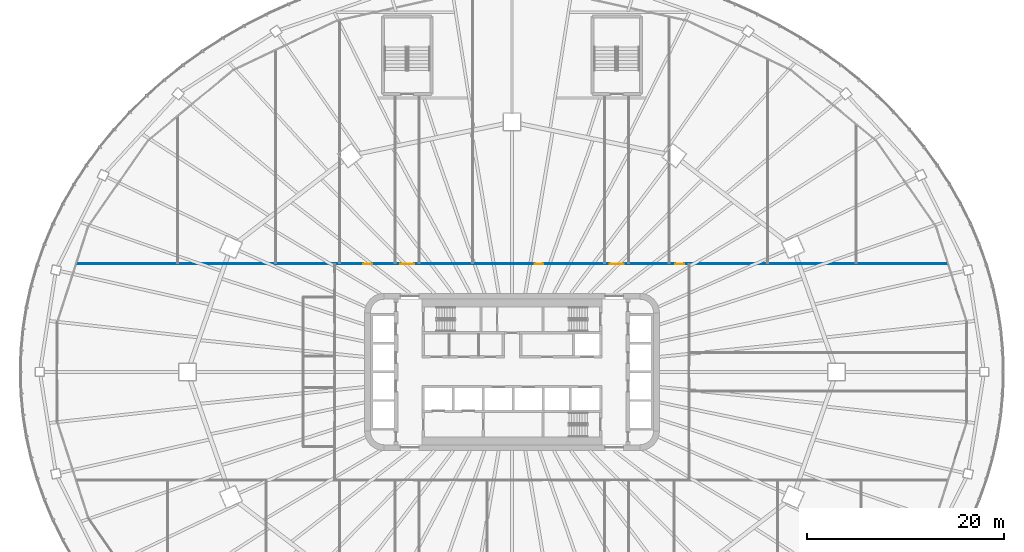
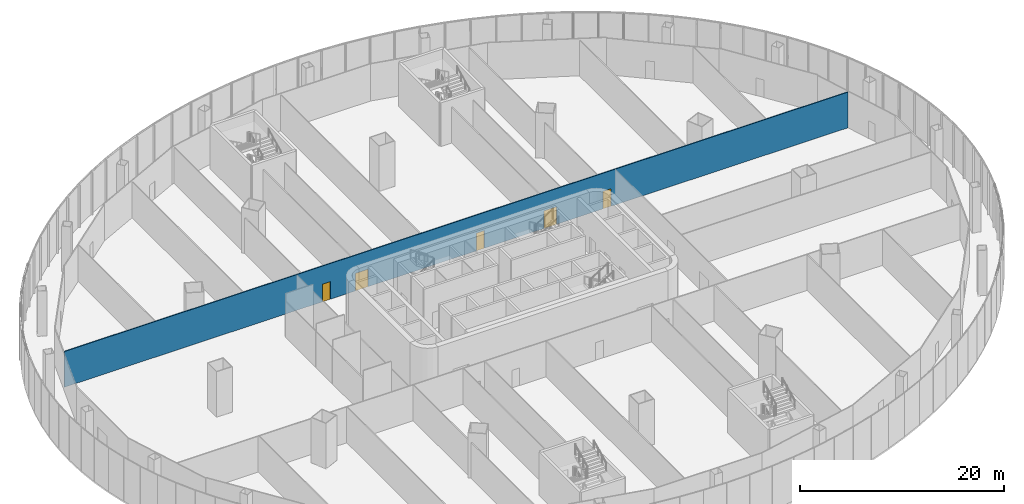
# One storey, part 25 of 42: 5 doors, 1 wall, 5 openings.
"""IFC4 building model written with IfcOpenShell, lengths in metres."""

from ifc_helpers import new_model, si_unit, direction, frame, frame_2d, origin, place, context, subcontext, project, spatial, rectangle, extrude, material, layer, layer_set, type_object, element, fill, save


model = new_model("IFC4")

# Units and contexts
model_context = context("Model", 3, precision=1e-05, world=origin(), true_north=direction((0.0, 1.0)))
body_context = subcontext(model_context, "Body", "Model", "MODEL_VIEW")
ifc_project = project(units=[si_unit("LENGTHUNIT", "METRE"), si_unit("AREAUNIT", "SQUARE_METRE"), si_unit("VOLUMEUNIT", "CUBIC_METRE"), si_unit("PLANEANGLEUNIT", "RADIAN"), si_unit("MASSUNIT", "GRAM", prefix="KILO")], contexts=[model_context])

# Site, building, storey
site_placement = place(None, origin())
site = spatial("IfcSite", under=ifc_project, at=site_placement, CompositionType="ELEMENT")
building_placement = place(site_placement, origin())
building = spatial("IfcBuilding", under=site, at=building_placement, Name="Sahrelin Media Tower", CompositionType="ELEMENT")
storey_placement = place(building_placement, frame((0.0, 0.0, 26.0)))
storey = spatial("IfcBuildingStorey", under=building, at=storey_placement, Name="L03", CompositionType="ELEMENT", Elevation=26.0)

# Wall, openings, doors
ifc_material_1 = material(Name="Gypsum board partition")
ifc_layer = layer(ifc_material_1, 0.10009765625)
ifc_layer_set = layer_set([ifc_layer], Name="Partition 100")
wall_type = type_object("IfcWallType", Name="Partition 100", PredefinedType="PARTITIONING", material=ifc_layer_set)
wall_placement = place(storey_placement, frame((-44.256103515625, 11.0, 0.0), z_axis=(0.0, 0.0, 1.0), x_axis=(1.0, 0.0, 0.0)))
wall = element("IfcWall", 1, at=wall_placement, inside=storey, type_object=wall_type, Name="Wall", PredefinedType="PARTITIONING", context=body_context, shape_type="SweptSolid", body=[
    extrude(rectangle(XDim=88.51220703125, YDim=0.10009765625, at=frame_2d((44.256103515625, 0.0))), origin(), (0.0, 0.0, 1.0), 4.268310546875),
])
opening_1_placement = place(wall_placement, frame((54.199951171875, 0.0, 0.0)))
opening_1 = element("IfcOpeningElement", 2, at=opening_1_placement, cuts=wall, Name="Opening L03-D20", PredefinedType="OPENING", context=body_context, shape_type="SweptSolid", body=[
    extrude(rectangle(XDim=1.39990234375, YDim=2.10009765625, at=frame_2d((0.699951171875, 1.050048828125))), frame((0.0, 0.050048828125, 0.0), z_axis=(0.0, -1.0, 0.0), x_axis=(1.0, 0.0, 0.0)), (0.0, 0.0, 1.0), 0.10009765625),
])
opening_2_placement = place(wall_placement, frame((32.89990234375, 0.0, 0.0)))
opening_2 = element("IfcOpeningElement", 3, at=opening_2_placement, cuts=wall, Name="Opening L03-D21", PredefinedType="OPENING", context=body_context, shape_type="SweptSolid", body=[
    extrude(rectangle(XDim=1.39990234375, YDim=2.10009765625, at=frame_2d((0.699951171875, 1.050048828125))), frame((0.0, 0.050048828125, 0.0), z_axis=(0.0, -1.0, 0.0), x_axis=(1.0, 0.0, 0.0)), (0.0, 0.0, 1.0), 0.10009765625),
])
opening_3_placement = place(wall_placement, frame((29.14990234375, 0.0, 0.0)))
opening_3 = element("IfcOpeningElement", 4, at=opening_3_placement, cuts=wall, Name="Opening L03-D29", PredefinedType="OPENING", context=body_context, shape_type="SweptSolid", body=[
    extrude(rectangle(XDim=0.89990234375, YDim=2.10009765625, at=frame_2d((0.449951171875, 1.050048828125))), frame((0.0, 0.050048828125, 0.0), z_axis=(0.0, -1.0, 0.0), x_axis=(1.0, 0.0, 0.0)), (0.0, 0.0, 1.0), 0.10009765625),
])
opening_4_placement = place(wall_placement, frame((46.550048828125, 0.0, 0.0)))
opening_4 = element("IfcOpeningElement", 5, at=opening_4_placement, cuts=wall, Name="Opening L03-D30", PredefinedType="OPENING", context=body_context, shape_type="SweptSolid", body=[
    extrude(rectangle(XDim=0.89990234375, YDim=2.10009765625, at=frame_2d((0.449951171875, 1.050048828125))), frame((0.0, 0.050048828125, 0.0), z_axis=(0.0, -1.0, 0.0), x_axis=(1.0, 0.0, 0.0)), (0.0, 0.0, 1.0), 0.10009765625),
])
opening_5_placement = place(wall_placement, frame((60.85009765625, 0.0, 0.0)))
opening_5 = element("IfcOpeningElement", 6, at=opening_5_placement, cuts=wall, Name="Opening L03-D31", PredefinedType="OPENING", context=body_context, shape_type="SweptSolid", body=[
    extrude(rectangle(XDim=0.89990234375, YDim=2.10009765625, at=frame_2d((0.449951171875, 1.050048828125))), frame((0.0, 0.050048828125, 0.0), z_axis=(0.0, -1.0, 0.0), x_axis=(1.0, 0.0, 0.0)), (0.0, 0.0, 1.0), 0.10009765625),
])
ifc_material_2 = material(Name="Timber door leaf", Category="wood")
door_type_1 = type_object("IfcDoorType", Name="Single door 1400 x 2100", OperationType="NOTDEFINED", PredefinedType="DOOR", material=ifc_material_2)
door_1_placement = place(opening_1_placement, origin())
door_1 = element("IfcDoor", 7, at=door_1_placement, inside=storey, type_object=door_type_1, Name="Single door", OperationType="SINGLE_SWING_RIGHT", OverallHeight=2.10009765625, OverallWidth=1.39990234375, PredefinedType="DOOR", context=body_context, shape_type="SweptSolid", body=[
    extrude(rectangle(XDim=1.39990234375, YDim=2.10009765625, at=frame_2d((0.699951171875, 1.050048828125))), frame((0.0, 0.02490234375, 0.0), z_axis=(0.0, -1.0, 0.0), x_axis=(1.0, 0.0, 0.0)), (0.0, 0.0, 1.0), 0.050048828125),
])
fill(opening_1, door_1)
door_2_placement = place(opening_2_placement, origin())
door_2 = element("IfcDoor", 8, at=door_2_placement, inside=storey, type_object=door_type_1, Name="Single door", OperationType="SINGLE_SWING_LEFT", OverallHeight=2.10009765625, OverallWidth=1.39990234375, PredefinedType="DOOR", context=body_context, shape_type="SweptSolid", body=[
    extrude(rectangle(XDim=1.39990234375, YDim=2.10009765625, at=frame_2d((0.699951171875, 1.050048828125))), frame((0.0, 0.02490234375, 0.0), z_axis=(0.0, -1.0, 0.0), x_axis=(1.0, 0.0, 0.0)), (0.0, 0.0, 1.0), 0.050048828125),
])
fill(opening_2, door_2)
door_type_2 = type_object("IfcDoorType", Name="Single door 900 x 2100", OperationType="NOTDEFINED", PredefinedType="DOOR", material=ifc_material_2)
door_3_placement = place(opening_3_placement, origin())
door_3 = element("IfcDoor", 9, at=door_3_placement, inside=storey, type_object=door_type_2, Name="Single door", OperationType="SINGLE_SWING_LEFT", OverallHeight=2.10009765625, OverallWidth=0.89990234375, PredefinedType="DOOR", context=body_context, shape_type="SweptSolid", body=[
    extrude(rectangle(XDim=0.89990234375, YDim=2.10009765625, at=frame_2d((0.449951171875, 1.050048828125))), frame((0.0, 0.02490234375, 0.0), z_axis=(0.0, -1.0, 0.0), x_axis=(1.0, 0.0, 0.0)), (0.0, 0.0, 1.0), 0.050048828125),
])
fill(opening_3, door_3)
door_4_placement = place(opening_4_placement, origin())
door_4 = element("IfcDoor", 10, at=door_4_placement, inside=storey, type_object=door_type_2, Name="Single door", OperationType="SINGLE_SWING_RIGHT", OverallHeight=2.10009765625, OverallWidth=0.89990234375, PredefinedType="DOOR", context=body_context, shape_type="SweptSolid", body=[
    extrude(rectangle(XDim=0.89990234375, YDim=2.10009765625, at=frame_2d((0.449951171875, 1.050048828125))), frame((0.0, 0.02490234375, 0.0), z_axis=(0.0, -1.0, 0.0), x_axis=(1.0, 0.0, 0.0)), (0.0, 0.0, 1.0), 0.050048828125),
])
fill(opening_4, door_4)
door_5_placement = place(opening_5_placement, origin())
door_5 = element("IfcDoor", 11, at=door_5_placement, inside=storey, type_object=door_type_2, Name="Single door", OperationType="SINGLE_SWING_RIGHT", OverallHeight=2.10009765625, OverallWidth=0.89990234375, PredefinedType="DOOR", context=body_context, shape_type="SweptSolid", body=[
    extrude(rectangle(XDim=0.89990234375, YDim=2.10009765625, at=frame_2d((0.449951171875, 1.050048828125))), frame((0.0, 0.02490234375, 0.0), z_axis=(0.0, -1.0, 0.0), x_axis=(1.0, 0.0, 0.0)), (0.0, 0.0, 1.0), 0.050048828125),
])
fill(opening_5, door_5)

save(model, "model.ifc")
